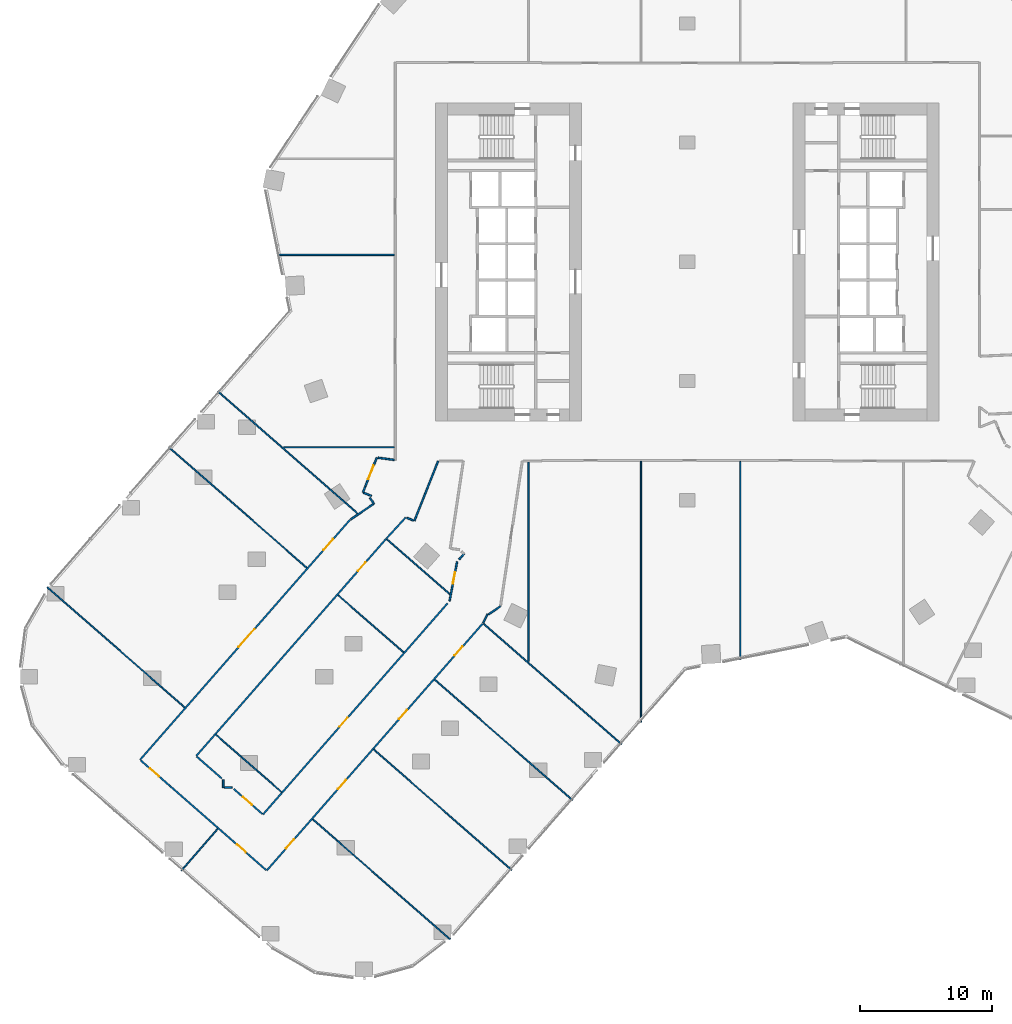
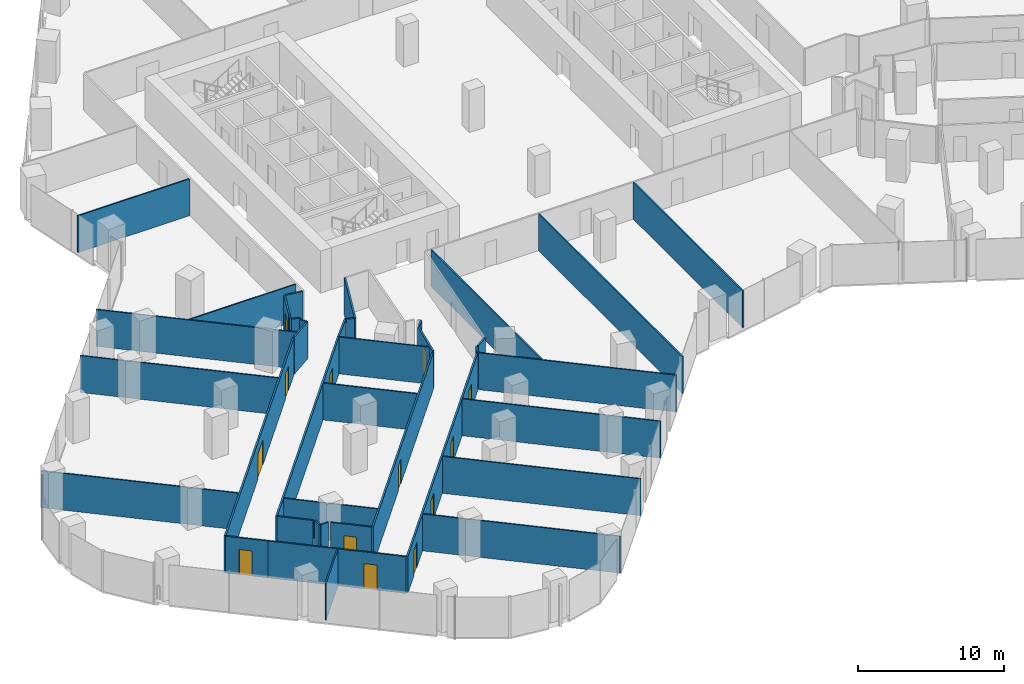
# One storey, part 26 of 38: 39 walls, 13 doors, 13 openings.
"""IFC4 building model written with IfcOpenShell, lengths in metres."""

from ifc_helpers import new_model, si_unit, direction, frame, frame_2d, origin, place, context, subcontext, project, spatial, rectangle, extrude, material, layer, layer_set, type_object, element, fill, save


model = new_model("IFC4")

# Units and contexts
model_context = context("Model", 3, precision=1e-05, world=origin(), true_north=direction((0.0, 1.0)))
body_context = subcontext(model_context, "Body", "Model", "MODEL_VIEW")
ifc_project = project(units=[si_unit("LENGTHUNIT", "METRE"), si_unit("AREAUNIT", "SQUARE_METRE"), si_unit("VOLUMEUNIT", "CUBIC_METRE"), si_unit("PLANEANGLEUNIT", "RADIAN"), si_unit("MASSUNIT", "GRAM", prefix="KILO")], contexts=[model_context])

# Site, building, storey
site_placement = place(None, origin())
site = spatial("IfcSite", under=ifc_project, at=site_placement, CompositionType="ELEMENT")
building_placement = place(site_placement, origin())
building = spatial("IfcBuilding", under=site, at=building_placement, Name="Orlundy Tower", CompositionType="ELEMENT")
storey_placement = place(building_placement, frame((0.0, 0.0, 65.800048828125)))
storey = spatial("IfcBuildingStorey", under=building, at=storey_placement, Name="L15", CompositionType="ELEMENT", Elevation=65.800048828125)

# Walls
ifc_material_1 = material(Name="Gypsum board partition")
ifc_layer_1 = layer(ifc_material_1, 0.10009765625)
ifc_layer_set_1 = layer_set([ifc_layer_1], Name="Floor partition 100")
wall_type_1 = type_object("IfcWallType", Name="Floor partition 100", PredefinedType="PARTITIONING", material=ifc_layer_set_1)
wall_1_placement = place(storey_placement, frame((-48.31298828125, -24.572021484375, 0.0), z_axis=(0.0, 0.0, 1.0), x_axis=(0.75276101301, -0.658293898872, 0.0)))
element("IfcWall", 1, at=wall_1_placement, inside=storey, type_object=wall_type_1, Name="wall-int-L15-012", PredefinedType="PARTITIONING", context=body_context, shape_type="SweptSolid", body=[
    extrude(rectangle(XDim=13.78271484375, YDim=0.10009765625, at=frame_2d((6.891357421875, 0.0))), origin(), (0.0, 0.0, 1.0), 3.079833984375),
])
wall_2_placement = place(storey_placement, frame((-35.583984375, -35.701904296875, 0.0), z_axis=(0.0, 0.0, 1.0), x_axis=(0.75268021229, -0.658386283292, 0.0)))
element("IfcWall", 2, at=wall_2_placement, inside=storey, type_object=wall_type_1, Name="wall-int-L15-013", PredefinedType="PARTITIONING", context=body_context, shape_type="SweptSolid", body=[
    extrude(rectangle(XDim=6.57373046875, YDim=0.10009765625, at=frame_2d((3.286865234375, 0.0))), origin(), (0.0, 0.0, 1.0), 3.079833984375),
])
wall_3_placement = place(storey_placement, frame((-28.281982421875, -42.0869140625, 0.0), z_axis=(0.0, 0.0, 1.0), x_axis=(0.752796124803, -0.658253746272, 0.0)))
element("IfcWall", 3, at=wall_3_placement, inside=storey, type_object=wall_type_1, Name="wall-int-L15-014", PredefinedType="PARTITIONING", context=body_context, shape_type="SweptSolid", body=[
    extrude(rectangle(XDim=13.781982421875, YDim=0.10009765625, at=frame_2d((6.89111328125, 0.0))), origin(), (0.0, 0.0, 1.0), 3.079833984375),
])
for number, where, z_axis, x_axis, name in (
    (4, (-23.675048828125, -36.818115234375, 0.0), (0.0, 0.0, 1.0), (0.752825840036, -0.65821976161, 0.0), "wall-int-L15-015"),
    (5, (-39.138916015625, -13.9970703125, 0.0), (0.0, 0.0, 1.0), (0.752825840036, -0.65821976161, 0.0), "wall-int-L15-016"),
):
    element("IfcWall", number, at=place(storey_placement, frame(where, z_axis=z_axis, x_axis=x_axis)), inside=storey, type_object=wall_type_1, Name=name, PredefinedType="PARTITIONING", context=body_context, shape_type="SweptSolid", body=[
        extrude(rectangle(XDim=13.837158203125, YDim=0.10009765625, at=frame_2d((6.91845703125, 0.0))), origin(), (0.0, 0.0, 1.0), 3.079833984375),
    ])
wall_4_placement = place(storey_placement, frame((-26.368896484375, -25.1630859375, 0.0), z_axis=(0.0, 0.0, 1.0), x_axis=(0.752836606275, -0.658207447734, 0.0)))
element("IfcWall", 6, at=wall_4_placement, inside=storey, type_object=wall_type_1, Name="wall-int-L15-017", PredefinedType="PARTITIONING", context=body_context, shape_type="SweptSolid", body=[
    extrude(rectangle(XDim=6.57373046875, YDim=0.10009765625, at=frame_2d((3.286865234375, 0.0))), origin(), (0.0, 0.0, 1.0), 3.079833984375),
])
wall_5_placement = place(storey_placement, frame((-19.06689453125, -31.548095703125, 0.0), z_axis=(0.0, 0.0, 1.0), x_axis=(0.752795260656, -0.658254734531, 0.0)))
element("IfcWall", 7, at=wall_5_placement, inside=storey, type_object=wall_type_1, Name="wall-int-L15-018", PredefinedType="PARTITIONING", context=body_context, shape_type="SweptSolid", body=[
    extrude(rectangle(XDim=13.83642578125, YDim=0.10009765625, at=frame_2d((6.918212890625, 0.0))), origin(), (0.0, 0.0, 1.0), 3.079833984375),
])
wall_6_placement = place(storey_placement, frame((-35.447998046875, -9.77587890625, 0.0), z_axis=(0.0, 0.0, 1.0), x_axis=(0.752812898316, -0.658234563153, 0.0)))
element("IfcWall", 8, at=wall_6_placement, inside=storey, type_object=wall_type_1, Name="wall-int-L15-019", PredefinedType="PARTITIONING", context=body_context, shape_type="SweptSolid", body=[
    extrude(rectangle(XDim=14.019287109375, YDim=0.10009765625, at=frame_2d((7.009765625, 0.0))), origin(), (0.0, 0.0, 1.0), 3.079833984375),
])
wall_7_placement = place(storey_placement, frame((-22.677978515625, -20.94189453125, 0.0), z_axis=(0.0, 0.0, 1.0), x_axis=(0.752838405923, -0.658205389349, 0.0)))
element("IfcWall", 9, at=wall_7_placement, inside=storey, type_object=wall_type_1, Name="wall-int-L15-020", PredefinedType="PARTITIONING", context=body_context, shape_type="SweptSolid", body=[
    extrude(rectangle(XDim=6.29736328125, YDim=0.10009765625, at=frame_2d((3.148681640625, 0.0))), origin(), (0.0, 0.0, 1.0), 3.079833984375),
])
wall_8_placement = place(storey_placement, frame((-15.364013671875, -27.337890625, 0.0), z_axis=(0.0, 0.0, 1.0), x_axis=(0.752870986554, -0.658168122599, 0.0)))
element("IfcWall", 10, at=wall_8_placement, inside=storey, type_object=wall_type_1, Name="wall-int-L15-021", PredefinedType="PARTITIONING", context=body_context, shape_type="SweptSolid", body=[
    extrude(rectangle(XDim=13.820556640625, YDim=0.10009765625, at=frame_2d((6.91015625, 0.0))), origin(), (0.0, 0.0, 1.0), 3.079833984375),
])
wall_9_placement = place(storey_placement, frame((-30.485107421875, -14.0, 0.0), z_axis=(0.0, 0.0, 1.0), x_axis=(1.0, 0.0, 0.0)))
element("IfcWall", 11, at=wall_9_placement, inside=storey, type_object=wall_type_1, Name="wall-int-L15-045", PredefinedType="PARTITIONING", context=body_context, shape_type="SweptSolid", body=[
    extrude(rectangle(XDim=8.3720703125, YDim=0.10009765625, at=frame_2d((4.18603515625, 0.0))), origin(), (0.0, 0.0, 1.0), 3.079833984375),
])
wall_10_placement = place(storey_placement, frame((-30.9560546875, 0.52392578125, 0.0), z_axis=(0.0, 0.0, 1.0), x_axis=(1.0, 0.0, 0.0)))
element("IfcWall", 12, at=wall_10_placement, inside=storey, type_object=wall_type_1, Name="wall-int-L15-046", PredefinedType="PARTITIONING", context=body_context, shape_type="SweptSolid", body=[
    extrude(rectangle(XDim=8.843017578125, YDim=0.10009765625, at=frame_2d((4.42138671875, 0.0))), origin(), (0.0, 0.0, 1.0), 3.079833984375),
])
wall_11_placement = place(storey_placement, frame((-38.201904296875, -45.966064453125, 0.0), z_axis=(0.0, 0.0, 1.0), x_axis=(0.658203200775, 0.752840319384, 0.0)))
element("IfcWall", 13, at=wall_11_placement, inside=storey, type_object=wall_type_1, Name="wall-int-L15-062", PredefinedType="PARTITIONING", context=body_context, shape_type="SweptSolid", body=[
    extrude(rectangle(XDim=4.18701171875, YDim=0.10009765625, at=frame_2d((2.093505859375, 0.0))), origin(), (0.0, 0.0, 1.0), 3.079833984375),
])
wall_12_placement = place(storey_placement, frame((4.0, -30.050048828125, 0.0), z_axis=(0.0, 0.0, 1.0), x_axis=(0.0, 1.0, 0.0)))
element("IfcWall", 14, at=wall_12_placement, inside=storey, type_object=wall_type_1, Name="wall-int-L15-090", PredefinedType="PARTITIONING", context=body_context, shape_type="SweptSolid", body=[
    extrude(rectangle(XDim=14.987060546875, YDim=0.10009765625, at=frame_2d((7.49365234375, 0.0))), origin(), (0.0, 0.0, 1.0), 3.079833984375),
])
wall_13_placement = place(storey_placement, frame((-3.493896484375, -34.758056640625, 0.0), z_axis=(0.0, 0.0, 1.0), x_axis=(0.0, 1.0, 0.0)))
element("IfcWall", 15, at=wall_13_placement, inside=storey, type_object=wall_type_1, Name="wall-int-L15-092", PredefinedType="PARTITIONING", context=body_context, shape_type="SweptSolid", body=[
    extrude(rectangle(XDim=19.695068359375, YDim=0.10009765625, at=frame_2d((9.84765625, 0.0))), origin(), (0.0, 0.0, 1.0), 3.079833984375),
])
wall_14_placement = place(storey_placement, frame((-12.0, -30.1689453125, 0.0), z_axis=(0.0, 0.0, 1.0), x_axis=(0.0, 1.0, 0.0)))
element("IfcWall", 16, at=wall_14_placement, inside=storey, type_object=wall_type_1, Name="wall-int-L15-094", PredefinedType="PARTITIONING", context=body_context, shape_type="SweptSolid", body=[
    extrude(rectangle(XDim=15.054931640625, YDim=0.10009765625, at=frame_2d((7.52734375, 0.0))), origin(), (0.0, 0.0, 1.0), 3.079833984375),
])
ifc_material_2 = material(Name="Gypsum board partition, double layer")
ifc_layer_2 = layer(ifc_material_2, 0.125)
ifc_layer_set_2 = layer_set([ifc_layer_2], Name="Floor partition 125")
wall_type_2 = type_object("IfcWallType", Name="Floor partition 125", PredefinedType="PARTITIONING", material=ifc_layer_set_2)
wall_15_placement = place(storey_placement, frame((-23.965087890625, -17.81005859375, 0.0), z_axis=(0.0, 0.0, 1.0), x_axis=(0.55613676815, -0.831090786323, 0.0)))
element("IfcWall", 17, at=wall_15_placement, inside=storey, type_object=wall_type_2, Name="wall-int-L15-004", PredefinedType="PARTITIONING", context=body_context, shape_type="SweptSolid", body=[
    extrude(rectangle(XDim=0.548828125, YDim=0.125, at=frame_2d((0.2744140625, 0.0))), origin(), (0.0, 0.0, 1.0), 3.079833984375),
])

# Wall, opening, door
wall_16_placement = place(storey_placement, frame((-31.798095703125, -45.9208984375, 0.0), z_axis=(0.0, 0.0, 1.0), x_axis=(-0.752771196542, 0.658282253792, 0.0)))
wall_16 = element("IfcWall", 18, at=wall_16_placement, inside=storey, type_object=wall_type_2, Name="wall-int-L15-009", PredefinedType="PARTITIONING", context=body_context, shape_type="SweptSolid", body=[
    extrude(rectangle(XDim=9.64013671875, YDim=0.125, at=frame_2d((4.820068359375, 0.0))), origin(), (0.0, 0.0, 1.0), 3.079833984375),
])
opening_1_placement = place(wall_16_placement, frame((2.039794921875, 0.0, 0.0)))
opening_1 = element("IfcOpeningElement", 19, at=opening_1_placement, cuts=wall_16, Name="Opening 13118", PredefinedType="OPENING", context=body_context, shape_type="SweptSolid", body=[
    extrude(rectangle(XDim=0.89990234375, YDim=2.10009765625, at=frame_2d((0.449951171875, 1.050048828125))), frame((0.0, 0.072509765625, 0.0), z_axis=(0.0, -1.0, 0.0), x_axis=(1.0, 0.0, 0.0)), (0.0, 0.0, 1.0), 0.14501953125),
])
ifc_material_3 = material(Name="Timber door leaf", Category="wood")
door_type_1 = type_object("IfcDoorType", Name="Floor door single 900 FD30S", OperationType="NOTDEFINED", PredefinedType="DOOR", material=ifc_material_3)
door_1_placement = place(opening_1_placement, origin())
door_1 = element("IfcDoor", 20, at=door_1_placement, inside=storey, type_object=door_type_1, Name="Door 13118", OperationType="SINGLE_SWING_LEFT", OverallHeight=2.10009765625, OverallWidth=0.89990234375, PredefinedType="DOOR", context=body_context, shape_type="SweptSolid", body=[
    extrude(rectangle(XDim=0.89990234375, YDim=2.10009765625, at=frame_2d((0.449951171875, 1.050048828125))), frame((0.0, 0.02490234375, 0.0), z_axis=(0.0, -1.0, 0.0), x_axis=(1.0, 0.0, 0.0)), (0.0, 0.0, 1.0), 0.050048828125),
])
fill(opening_1, door_1)

# Wall
wall_17_placement = place(storey_placement, frame((-37.031982421875, -37.35791015625, 0.0), z_axis=(0.0, 0.0, 1.0), x_axis=(0.752691127314, -0.658373804812, 0.0)))
element("IfcWall", 21, at=wall_17_placement, inside=storey, type_object=wall_type_2, Name="wall-int-L15-010", PredefinedType="PARTITIONING", context=body_context, shape_type="SweptSolid", body=[
    extrude(rectangle(XDim=2.5107421875, YDim=0.125, at=frame_2d((1.25537109375, 0.0))), origin(), (0.0, 0.0, 1.0), 3.079833984375),
])

# Wall, opening, door
wall_18_placement = place(storey_placement, frame((-34.239013671875, -39.801025390625, 0.0), z_axis=(0.0, 0.0, 1.0), x_axis=(0.753004386547, -0.658015496657, 0.0)))
wall_18 = element("IfcWall", 22, at=wall_18_placement, inside=storey, type_object=wall_type_2, Name="wall-int-L15-011", PredefinedType="PARTITIONING", context=body_context, shape_type="SweptSolid", body=[
    extrude(rectangle(XDim=2.86328125, YDim=0.125, at=frame_2d((1.431640625, 0.0))), origin(), (0.0, 0.0, 1.0), 3.079833984375),
])
opening_2_placement = place(wall_18_placement, frame((0.93359375, 0.0, 0.0)))
opening_2 = element("IfcOpeningElement", 23, at=opening_2_placement, cuts=wall_18, Name="Opening 13117", PredefinedType="OPENING", context=body_context, shape_type="SweptSolid", body=[
    extrude(rectangle(XDim=0.89990234375, YDim=2.10009765625, at=frame_2d((0.449951171875, 1.050048828125))), frame((0.0, 0.072509765625, 0.0), z_axis=(0.0, -1.0, 0.0), x_axis=(1.0, 0.0, 0.0)), (0.0, 0.0, 1.0), 0.14501953125),
])
door_2_placement = place(opening_2_placement, origin())
door_2 = element("IfcDoor", 24, at=door_2_placement, inside=storey, type_object=door_type_1, Name="Door 13117", OperationType="SINGLE_SWING_LEFT", OverallHeight=2.10009765625, OverallWidth=0.89990234375, PredefinedType="DOOR", context=body_context, shape_type="SweptSolid", body=[
    extrude(rectangle(XDim=0.89990234375, YDim=2.10009765625, at=frame_2d((0.449951171875, 1.050048828125))), frame((0.0, 0.02490234375, 0.0), z_axis=(0.0, -1.0, 0.0), x_axis=(1.0, 0.0, 0.0)), (0.0, 0.0, 1.0), 0.050048828125),
])
fill(opening_2, door_2)

wall_19_placement = place(storey_placement, frame((-39.054931640625, -39.574951171875, 0.0), z_axis=(0.0, 0.0, 1.0), x_axis=(-0.753045000135, 0.657969017334, 0.0)))
wall_19 = element("IfcWall", 25, at=wall_19_placement, inside=storey, type_object=wall_type_2, Name="wall-int-L15-022", PredefinedType="PARTITIONING", context=body_context, shape_type="SweptSolid", body=[
    extrude(rectangle(XDim=2.9375, YDim=0.125, at=frame_2d((1.46875, 0.0))), origin(), (0.0, 0.0, 1.0), 3.079833984375),
])
opening_3_placement = place(wall_19_placement, frame((1.10009765625, 0.0, 0.0)))
opening_3 = element("IfcOpeningElement", 26, at=opening_3_placement, cuts=wall_19, Name="Opening 13120", PredefinedType="OPENING", context=body_context, shape_type="SweptSolid", body=[
    extrude(rectangle(XDim=0.89990234375, YDim=2.10009765625, at=frame_2d((0.449951171875, 1.050048828125))), frame((0.0, 0.072509765625, 0.0), z_axis=(0.0, -1.0, 0.0), x_axis=(1.0, 0.0, 0.0)), (0.0, 0.0, 1.0), 0.14501953125),
])
door_3_placement = place(opening_3_placement, origin())
door_3 = element("IfcDoor", 27, at=door_3_placement, inside=storey, type_object=door_type_1, Name="Door 13120", OperationType="SINGLE_SWING_RIGHT", OverallHeight=2.10009765625, OverallWidth=0.89990234375, PredefinedType="DOOR", context=body_context, shape_type="SweptSolid", body=[
    extrude(rectangle(XDim=0.89990234375, YDim=2.10009765625, at=frame_2d((0.449951171875, 1.050048828125))), frame((0.0, 0.02490234375, 0.0), z_axis=(0.0, -1.0, 0.0), x_axis=(1.0, 0.0, 0.0)), (0.0, 0.0, 1.0), 0.050048828125),
])
fill(opening_3, door_3)

# Walls
wall_20_placement = place(storey_placement, frame((-24.43505859375, -17.43798828125, 0.0), z_axis=(0.0, 0.0, 1.0), x_axis=(0.928555762044, -0.3711929374, 0.0)))
element("IfcWall", 28, at=wall_20_placement, inside=storey, type_object=wall_type_2, Name="wall-int-L15-033", PredefinedType="PARTITIONING", context=body_context, shape_type="SweptSolid", body=[
    extrude(rectangle(XDim=0.638671875, YDim=0.125, at=frame_2d((0.3193359375, 0.0))), origin(), (0.0, 0.0, 1.0), 3.079833984375),
])
wall_21_placement = place(storey_placement, frame((-21.173095703125, -19.3291015625, 0.0), z_axis=(0.0, 0.0, 1.0), x_axis=(0.928691976307, -0.37085200976, 0.0)))
element("IfcWall", 29, at=wall_21_placement, inside=storey, type_object=wall_type_2, Name="wall-int-L15-034", PredefinedType="PARTITIONING", context=body_context, shape_type="SweptSolid", body=[
    extrude(rectangle(XDim=0.547119140625, YDim=0.125, at=frame_2d((0.2734375, 0.0))), origin(), (0.0, 0.0, 1.0), 3.079833984375),
])
wall_22_placement = place(storey_placement, frame((-14.998046875, -26.611083984375, 0.0), z_axis=(0.0, 0.0, 1.0), x_axis=(0.828906337017, 0.559387418926, 0.0)))
element("IfcWall", 30, at=wall_22_placement, inside=storey, type_object=wall_type_2, Name="wall-int-L15-035", PredefinedType="PARTITIONING", context=body_context, shape_type="SweptSolid", body=[
    extrude(rectangle(XDim=1.079833984375, YDim=0.125, at=frame_2d((0.5400390625, 0.0))), origin(), (0.0, 0.0, 1.0), 3.079833984375),
])
wall_23_placement = place(storey_placement, frame((-23.35302734375, -14.7919921875, 0.0), z_axis=(0.0, 0.0, 1.0), x_axis=(0.991114791297, -0.133009287168, 0.0)))
element("IfcWall", 31, at=wall_23_placement, inside=storey, type_object=wall_type_2, Name="wall-int-L15-037", PredefinedType="PARTITIONING", context=body_context, shape_type="SweptSolid", body=[
    extrude(rectangle(XDim=1.248046875, YDim=0.125, at=frame_2d((0.6240234375, 0.0))), origin(), (0.0, 0.0, 1.0), 3.079833984375),
])
wall_24_placement = place(storey_placement, frame((-34.97412109375, -39.68994140625, 0.0), z_axis=(0.0, 0.0, 1.0), x_axis=(1.0, 0.0, 0.0)))
element("IfcWall", 32, at=wall_24_placement, inside=storey, type_object=wall_type_2, Name="wall-int-L15-040", PredefinedType="PARTITIONING", context=body_context, shape_type="SweptSolid", body=[
    extrude(rectangle(XDim=0.609130859375, YDim=0.125, at=frame_2d((0.3046875, 0.0))), origin(), (0.0, 0.0, 1.0), 3.079833984375),
])
wall_25_placement = place(storey_placement, frame((-23.659912109375, -18.26611328125, 0.0), z_axis=(0.0, 0.0, 1.0), x_axis=(-0.83066036782, -0.556779447658, 0.0)))
element("IfcWall", 33, at=wall_25_placement, inside=storey, type_object=wall_type_2, Name="wall-int-L15-056", PredefinedType="PARTITIONING", context=body_context, shape_type="SweptSolid", body=[
    extrude(rectangle(XDim=2.11181640625, YDim=0.125, at=frame_2d((1.055908203125, 0.0))), origin(), (0.0, 0.0, 1.0), 3.079833984375),
])
wall_26_placement = place(storey_placement, frame((-22.72509765625, -20.90087890625, 0.0), z_axis=(0.0, 0.0, 1.0), x_axis=(0.674921155875, 0.737889851775, 0.0)))
element("IfcWall", 34, at=wall_26_placement, inside=storey, type_object=wall_type_2, Name="wall-int-L15-058", PredefinedType="PARTITIONING", context=body_context, shape_type="SweptSolid", body=[
    extrude(rectangle(XDim=2.175048828125, YDim=0.125, at=frame_2d((1.08740234375, 0.0))), origin(), (0.0, 0.0, 1.0), 3.079833984375),
])
wall_27_placement = place(storey_placement, frame((-17.22802734375, -22.468994140625, 0.0), z_axis=(0.0, 0.0, 1.0), x_axis=(0.664256182607, 0.747504999226, 0.0)))
element("IfcWall", 35, at=wall_27_placement, inside=storey, type_object=wall_type_2, Name="wall-int-L15-059", PredefinedType="PARTITIONING", context=body_context, shape_type="SweptSolid", body=[
    extrude(rectangle(XDim=0.56298828125, YDim=0.125, at=frame_2d((0.281494140625, 0.0))), origin(), (0.0, 0.0, 1.0), 3.079833984375),
])

# Wall, openings, doors
wall_28_placement = place(storey_placement, frame((-15.464111328125, -27.33203125, 0.0), z_axis=(0.0, 0.0, 1.0), x_axis=(-0.658219577617, -0.752826000907, 0.0)))
wall_28 = element("IfcWall", 36, at=wall_28_placement, inside=storey, type_object=wall_type_2, Name="wall-int-L15-060", PredefinedType="PARTITIONING", context=body_context, shape_type="SweptSolid", body=[
    extrude(rectangle(XDim=24.745361328125, YDim=0.125, at=frame_2d((12.37255859375, 0.0))), origin(), (0.0, 0.0, 1.0), 3.079833984375),
])
opening_4_placement = place(wall_28_placement, frame((2.287841796875, 0.0, 0.0)))
opening_4 = element("IfcOpeningElement", 37, at=opening_4_placement, cuts=wall_28, Name="Opening 13112", PredefinedType="OPENING", context=body_context, shape_type="SweptSolid", body=[
    extrude(rectangle(XDim=0.89990234375, YDim=2.10009765625, at=frame_2d((0.449951171875, 1.050048828125))), frame((0.0, 0.072509765625, 0.0), z_axis=(0.0, -1.0, 0.0), x_axis=(1.0, 0.0, 0.0)), (0.0, 0.0, 1.0), 0.14501953125),
])
opening_5_placement = place(wall_28_placement, frame((8.64501953125, 0.0, 0.0)))
opening_5 = element("IfcOpeningElement", 38, at=opening_5_placement, cuts=wall_28, Name="Opening 13113", PredefinedType="OPENING", context=body_context, shape_type="SweptSolid", body=[
    extrude(rectangle(XDim=0.89990234375, YDim=2.10009765625, at=frame_2d((0.449951171875, 1.050048828125))), frame((0.0, 0.072509765625, 0.0), z_axis=(0.0, -1.0, 0.0), x_axis=(1.0, 0.0, 0.0)), (0.0, 0.0, 1.0), 0.14501953125),
])
opening_6_placement = place(wall_28_placement, frame((15.6455078125, 0.0, 0.0)))
opening_6 = element("IfcOpeningElement", 39, at=opening_6_placement, cuts=wall_28, Name="Opening 13114", PredefinedType="OPENING", context=body_context, shape_type="SweptSolid", body=[
    extrude(rectangle(XDim=0.89990234375, YDim=2.10009765625, at=frame_2d((0.449951171875, 1.050048828125))), frame((0.0, 0.072509765625, 0.0), z_axis=(0.0, -1.0, 0.0), x_axis=(1.0, 0.0, 0.0)), (0.0, 0.0, 1.0), 0.14501953125),
])
opening_7_placement = place(wall_28_placement, frame((21.64453125, 0.0, 0.0)))
opening_7 = element("IfcOpeningElement", 40, at=opening_7_placement, cuts=wall_28, Name="Opening 13119", PredefinedType="OPENING", context=body_context, shape_type="SweptSolid", body=[
    extrude(rectangle(XDim=0.89990234375, YDim=2.10009765625, at=frame_2d((0.449951171875, 1.050048828125))), frame((0.0, 0.072509765625, 0.0), z_axis=(0.0, -1.0, 0.0), x_axis=(1.0, 0.0, 0.0)), (0.0, 0.0, 1.0), 0.14501953125),
])
door_4_placement = place(opening_4_placement, origin())
door_4 = element("IfcDoor", 41, at=door_4_placement, inside=storey, type_object=door_type_1, Name="Door 13112", OperationType="SINGLE_SWING_LEFT", OverallHeight=2.10009765625, OverallWidth=0.89990234375, PredefinedType="DOOR", context=body_context, shape_type="SweptSolid", body=[
    extrude(rectangle(XDim=0.89990234375, YDim=2.10009765625, at=frame_2d((0.449951171875, 1.050048828125))), frame((0.0, 0.02490234375, 0.0), z_axis=(0.0, -1.0, 0.0), x_axis=(1.0, 0.0, 0.0)), (0.0, 0.0, 1.0), 0.050048828125),
])
fill(opening_4, door_4)
door_5_placement = place(opening_5_placement, origin())
door_5 = element("IfcDoor", 42, at=door_5_placement, inside=storey, type_object=door_type_1, Name="Door 13113", OperationType="SINGLE_SWING_LEFT", OverallHeight=2.10009765625, OverallWidth=0.89990234375, PredefinedType="DOOR", context=body_context, shape_type="SweptSolid", body=[
    extrude(rectangle(XDim=0.89990234375, YDim=2.10009765625, at=frame_2d((0.449951171875, 1.050048828125))), frame((0.0, 0.02490234375, 0.0), z_axis=(0.0, -1.0, 0.0), x_axis=(1.0, 0.0, 0.0)), (0.0, 0.0, 1.0), 0.050048828125),
])
fill(opening_5, door_5)
door_6_placement = place(opening_6_placement, origin())
door_6 = element("IfcDoor", 43, at=door_6_placement, inside=storey, type_object=door_type_1, Name="Door 13114", OperationType="SINGLE_SWING_RIGHT", OverallHeight=2.10009765625, OverallWidth=0.89990234375, PredefinedType="DOOR", context=body_context, shape_type="SweptSolid", body=[
    extrude(rectangle(XDim=0.89990234375, YDim=2.10009765625, at=frame_2d((0.449951171875, 1.050048828125))), frame((0.0, 0.02490234375, 0.0), z_axis=(0.0, -1.0, 0.0), x_axis=(1.0, 0.0, 0.0)), (0.0, 0.0, 1.0), 0.050048828125),
])
fill(opening_6, door_6)
door_7_placement = place(opening_7_placement, origin())
door_7 = element("IfcDoor", 44, at=door_7_placement, inside=storey, type_object=door_type_1, Name="Door 13119", OperationType="SINGLE_SWING_RIGHT", OverallHeight=2.10009765625, OverallWidth=0.89990234375, PredefinedType="DOOR", context=body_context, shape_type="SweptSolid", body=[
    extrude(rectangle(XDim=0.89990234375, YDim=2.10009765625, at=frame_2d((0.449951171875, 1.050048828125))), frame((0.0, 0.02490234375, 0.0), z_axis=(0.0, -1.0, 0.0), x_axis=(1.0, 0.0, 0.0)), (0.0, 0.0, 1.0), 0.050048828125),
])
fill(opening_7, door_7)

# Wall, opening, door
wall_29_placement = place(storey_placement, frame((-32.035888671875, -41.72607421875, 0.0), z_axis=(0.0, 0.0, 1.0), x_axis=(0.658205705433, 0.75283812957, 0.0)))
wall_29 = element("IfcWall", 45, at=wall_29_placement, inside=storey, type_object=wall_type_2, Name="wall-int-L15-061", PredefinedType="PARTITIONING", context=body_context, shape_type="SweptSolid", body=[
    extrude(rectangle(XDim=21.16796875, YDim=0.125, at=frame_2d((10.583984375, 0.0))), origin(), (0.0, 0.0, 1.0), 3.079833984375),
])
opening_8_placement = place(wall_29_placement, frame((8.79833984375, 0.0, 0.0)))
opening_8 = element("IfcOpeningElement", 46, at=opening_8_placement, cuts=wall_29, Name="Opening 13116", PredefinedType="OPENING", context=body_context, shape_type="SweptSolid", body=[
    extrude(rectangle(XDim=0.89990234375, YDim=2.10009765625, at=frame_2d((0.449951171875, 1.050048828125))), frame((0.0, 0.072509765625, 0.0), z_axis=(0.0, -1.0, 0.0), x_axis=(1.0, 0.0, 0.0)), (0.0, 0.0, 1.0), 0.14501953125),
])
door_8_placement = place(opening_8_placement, origin())
door_8 = element("IfcDoor", 47, at=door_8_placement, inside=storey, type_object=door_type_1, Name="Door 13116", OperationType="SINGLE_SWING_LEFT", OverallHeight=2.10009765625, OverallWidth=0.89990234375, PredefinedType="DOOR", context=body_context, shape_type="SweptSolid", body=[
    extrude(rectangle(XDim=0.89990234375, YDim=2.10009765625, at=frame_2d((0.449951171875, 1.050048828125))), frame((0.0, 0.02490234375, 0.0), z_axis=(0.0, -1.0, 0.0), x_axis=(1.0, 0.0, 0.0)), (0.0, 0.0, 1.0), 0.050048828125),
])
fill(opening_8, door_8)

wall_30_placement = place(storey_placement, frame((-22.736083984375, -20.9130859375, 0.0), z_axis=(0.0, 0.0, 1.0), x_axis=(-0.658236458127, -0.752811241409, 0.0)))
wall_30 = element("IfcWall", 48, at=wall_30_placement, inside=storey, type_object=wall_type_2, Name="wall-int-L15-063", PredefinedType="PARTITIONING", context=body_context, shape_type="SweptSolid", body=[
    extrude(rectangle(XDim=21.7900390625, YDim=0.125, at=frame_2d((10.89501953125, 0.0))), origin(), (0.0, 0.0, 1.0), 3.079833984375),
])
opening_9_placement = place(wall_30_placement, frame((2.35009765625, 0.0, 0.0)))
opening_9 = element("IfcOpeningElement", 49, at=opening_9_placement, cuts=wall_30, Name="Opening 13115", PredefinedType="OPENING", context=body_context, shape_type="SweptSolid", body=[
    extrude(rectangle(XDim=0.89990234375, YDim=2.10009765625, at=frame_2d((0.449951171875, 1.050048828125))), frame((0.0, 0.072509765625, 0.0), z_axis=(0.0, -1.0, 0.0), x_axis=(1.0, 0.0, 0.0)), (0.0, 0.0, 1.0), 0.14501953125),
])
door_9_placement = place(opening_9_placement, origin())
door_9 = element("IfcDoor", 50, at=door_9_placement, inside=storey, type_object=door_type_1, Name="Door 13115", OperationType="SINGLE_SWING_LEFT", OverallHeight=2.10009765625, OverallWidth=0.89990234375, PredefinedType="DOOR", context=body_context, shape_type="SweptSolid", body=[
    extrude(rectangle(XDim=0.89990234375, YDim=2.10009765625, at=frame_2d((0.449951171875, 1.050048828125))), frame((0.0, 0.02490234375, 0.0), z_axis=(0.0, -1.0, 0.0), x_axis=(1.0, 0.0, 0.0)), (0.0, 0.0, 1.0), 0.050048828125),
])
fill(opening_9, door_9)

# Wall, openings, doors
wall_31_placement = place(storey_placement, frame((-41.31396484375, -37.60009765625, 0.0), z_axis=(0.0, 0.0, 1.0), x_axis=(0.658340906106, 0.752719902319, 0.0)))
wall_31 = element("IfcWall", 51, at=wall_31_placement, inside=storey, type_object=wall_type_2, Name="wall-int-L15-064", PredefinedType="PARTITIONING", context=body_context, shape_type="SweptSolid", body=[
    extrude(rectangle(XDim=24.075439453125, YDim=0.125, at=frame_2d((12.03759765625, 0.0))), origin(), (0.0, 0.0, 1.0), 3.079833984375),
])
opening_10_placement = place(wall_31_placement, frame((21.050537109375, 0.0, 0.0)))
opening_10 = element("IfcOpeningElement", 52, at=opening_10_placement, cuts=wall_31, Name="Opening 13121", PredefinedType="OPENING", context=body_context, shape_type="SweptSolid", body=[
    extrude(rectangle(XDim=1.10009765625, YDim=2.10009765625, at=frame_2d((0.550048828125, 1.050048828125))), frame((0.0, 0.072509765625, 0.0), z_axis=(0.0, -1.0, 0.0), x_axis=(1.0, 0.0, 0.0)), (0.0, 0.0, 1.0), 0.14501953125),
])
opening_11_placement = place(wall_31_placement, frame((11.299560546875, 0.0, 0.0)))
opening_11 = element("IfcOpeningElement", 53, at=opening_11_placement, cuts=wall_31, Name="Opening 13122", PredefinedType="OPENING", context=body_context, shape_type="SweptSolid", body=[
    extrude(rectangle(XDim=1.800048828125, YDim=2.10009765625, at=frame_2d((0.89990234375, 1.050048828125))), frame((0.0, 0.072509765625, 0.0), z_axis=(0.0, -1.0, 0.0), x_axis=(1.0, 0.0, 0.0)), (0.0, 0.0, 1.0), 0.14501953125),
])
ifc_material_4 = material(Name="Timber door leaf", Category="wood")
door_type_2 = type_object("IfcDoorType", Name="Floor door double 1800 FD30S", OperationType="NOTDEFINED", PredefinedType="DOOR", material=ifc_material_4)
door_10_placement = place(opening_11_placement, origin())
door_10 = element("IfcDoor", 54, at=door_10_placement, inside=storey, type_object=door_type_2, Name="Door 13122", OperationType="DOUBLE_DOOR_SINGLE_SWING", OverallHeight=2.10009765625, OverallWidth=1.800048828125, PredefinedType="DOOR", context=body_context, shape_type="SweptSolid", body=[
    extrude(rectangle(XDim=1.800048828125, YDim=2.10009765625, at=frame_2d((0.89990234375, 1.050048828125))), frame((0.0, 0.02490234375, 0.0), z_axis=(0.0, -1.0, 0.0), x_axis=(1.0, 0.0, 0.0)), (0.0, 0.0, 1.0), 0.050048828125),
])
fill(opening_11, door_10)
ifc_material_5 = material(Name="Timber door leaf", Category="wood")
door_type_3 = type_object("IfcDoorType", Name="Floor door xwide 1100 FD30S", OperationType="NOTDEFINED", PredefinedType="DOOR", material=ifc_material_5)
door_11_placement = place(opening_10_placement, origin())
door_11 = element("IfcDoor", 55, at=door_11_placement, inside=storey, type_object=door_type_3, Name="Door 13121", OperationType="SINGLE_SWING_RIGHT", OverallHeight=2.10009765625, OverallWidth=1.10009765625, PredefinedType="DOOR", context=body_context, shape_type="SweptSolid", body=[
    extrude(rectangle(XDim=1.10009765625, YDim=2.10009765625, at=frame_2d((0.550048828125, 1.050048828125))), frame((0.0, 0.02490234375, 0.0), z_axis=(0.0, -1.0, 0.0), x_axis=(1.0, 0.0, 0.0)), (0.0, 0.0, 1.0), 0.050048828125),
])
fill(opening_10, door_11)

# Walls
wall_32_placement = place(storey_placement, frame((-15.405029296875, -27.26611328125, 0.0), z_axis=(0.0, 0.0, 1.0), x_axis=(0.435199770088, 0.900333915897, 0.0)))
element("IfcWall", 56, at=wall_32_placement, inside=storey, type_object=wall_type_2, Name="wall-int-L15-077", PredefinedType="PARTITIONING", context=body_context, shape_type="SweptSolid", body=[
    extrude(rectangle(XDim=0.7421875, YDim=0.125, at=frame_2d((0.37109375, 0.0))), origin(), (0.0, 0.0, 1.0), 3.079833984375),
])
wall_33_placement = place(storey_placement, frame((-24.492919921875, -17.4150390625, 0.0), z_axis=(0.0, 0.0, 1.0), x_axis=(0.374072822582, 0.9273993333, 0.0)))
element("IfcWall", 57, at=wall_33_placement, inside=storey, type_object=wall_type_2, Name="wall-int-L15-080", PredefinedType="PARTITIONING", context=body_context, shape_type="SweptSolid", body=[
    extrude(rectangle(XDim=0.486328125, YDim=0.125, at=frame_2d((0.2431640625, 0.0))), origin(), (0.0, 0.0, 1.0), 3.079833984375),
])
wall_34_placement = place(storey_placement, frame((-18.81005859375, -15.051025390625, 0.0), z_axis=(0.0, 0.0, 1.0), x_axis=(-0.370557189756, -0.928809651715, 0.0)))
element("IfcWall", 58, at=wall_34_placement, inside=storey, type_object=wall_type_2, Name="wall-int-L15-081", PredefinedType="PARTITIONING", context=body_context, shape_type="SweptSolid", body=[
    extrude(rectangle(XDim=4.84912109375, YDim=0.125, at=frame_2d((2.424560546875, 0.0))), origin(), (0.0, 0.0, 1.0), 3.079833984375),
])

# Wall, opening, door
wall_35_placement = place(storey_placement, frame((-24.31103515625, -16.964111328125, 0.0), z_axis=(0.0, 0.0, 1.0), x_axis=(0.370459614681, 0.928848574252, 0.0)))
wall_35 = element("IfcWall", 59, at=wall_35_placement, inside=storey, type_object=wall_type_2, Name="wall-int-L15-082", PredefinedType="PARTITIONING", context=body_context, shape_type="SweptSolid", body=[
    extrude(rectangle(XDim=2.351318359375, YDim=0.125, at=frame_2d((1.17578125, 0.0))), origin(), (0.0, 0.0, 1.0), 3.079833984375),
])
opening_12_placement = place(wall_35_placement, frame((0.60009765625, 0.0, 0.0)))
opening_12 = element("IfcOpeningElement", 60, at=opening_12_placement, cuts=wall_35, Name="Opening 13124", PredefinedType="OPENING", context=body_context, shape_type="SweptSolid", body=[
    extrude(rectangle(XDim=1.10009765625, YDim=2.10009765625, at=frame_2d((0.550048828125, 1.050048828125))), frame((0.0, 0.072509765625, 0.0), z_axis=(0.0, -1.0, 0.0), x_axis=(1.0, 0.0, 0.0)), (0.0, 0.0, 1.0), 0.14501953125),
])
door_12_placement = place(opening_12_placement, origin())
door_12 = element("IfcDoor", 61, at=door_12_placement, inside=storey, type_object=door_type_3, Name="Door 13124", OperationType="SINGLE_SWING_LEFT", OverallHeight=2.10009765625, OverallWidth=1.10009765625, PredefinedType="DOOR", context=body_context, shape_type="SweptSolid", body=[
    extrude(rectangle(XDim=1.10009765625, YDim=2.10009765625, at=frame_2d((0.550048828125, 1.050048828125))), frame((0.0, 0.02490234375, 0.0), z_axis=(0.0, -1.0, 0.0), x_axis=(1.0, 0.0, 0.0)), (0.0, 0.0, 1.0), 0.050048828125),
])
fill(opening_12, door_12)

wall_36_placement = place(storey_placement, frame((-17.949951171875, -25.616943359375, 0.0), z_axis=(0.0, 0.0, 1.0), x_axis=(0.188644670049, 0.982045410591, 0.0)))
wall_36 = element("IfcWall", 62, at=wall_36_placement, inside=storey, type_object=wall_type_2, Name="wall-int-L15-083", PredefinedType="PARTITIONING", context=body_context, shape_type="SweptSolid", body=[
    extrude(rectangle(XDim=3.037353515625, YDim=0.125, at=frame_2d((1.5185546875, 0.0))), origin(), (0.0, 0.0, 1.0), 3.079833984375),
])
opening_13_placement = place(wall_36_placement, frame((1.321533203125, 0.0, 0.0)))
opening_13 = element("IfcOpeningElement", 63, at=opening_13_placement, cuts=wall_36, Name="Opening 13125", PredefinedType="OPENING", context=body_context, shape_type="SweptSolid", body=[
    extrude(rectangle(XDim=0.89990234375, YDim=2.10009765625, at=frame_2d((0.449951171875, 1.050048828125))), frame((0.0, 0.072509765625, 0.0), z_axis=(0.0, -1.0, 0.0), x_axis=(1.0, 0.0, 0.0)), (0.0, 0.0, 1.0), 0.14501953125),
])
door_13_placement = place(opening_13_placement, origin())
door_13 = element("IfcDoor", 64, at=door_13_placement, inside=storey, type_object=door_type_1, Name="Door 13125", OperationType="SINGLE_SWING_RIGHT", OverallHeight=2.10009765625, OverallWidth=0.89990234375, PredefinedType="DOOR", context=body_context, shape_type="SweptSolid", body=[
    extrude(rectangle(XDim=0.89990234375, YDim=2.10009765625, at=frame_2d((0.449951171875, 1.050048828125))), frame((0.0, 0.02490234375, 0.0), z_axis=(0.0, -1.0, 0.0), x_axis=(1.0, 0.0, 0.0)), (0.0, 0.0, 1.0), 0.050048828125),
])
fill(opening_13, door_13)

# Wall
wall_37_placement = place(storey_placement, frame((-35.037109375, -39.68994140625, 0.0), z_axis=(0.0, 0.0, 1.0), x_axis=(0.0, 1.0, 0.0)))
element("IfcWall", 65, at=wall_37_placement, inside=storey, type_object=wall_type_2, Name="wall-int-L15-097", PredefinedType="PARTITIONING", context=body_context, shape_type="SweptSolid", body=[
    extrude(rectangle(XDim=0.587890625, YDim=0.125, at=frame_2d((0.2939453125, 0.0))), origin(), (0.0, 0.0, 1.0), 3.079833984375),
])

save(model, "model.ifc")
